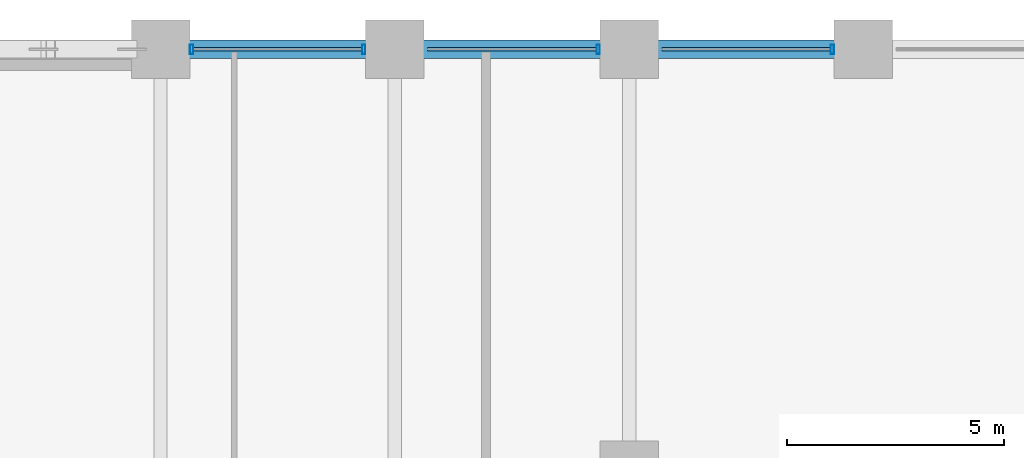
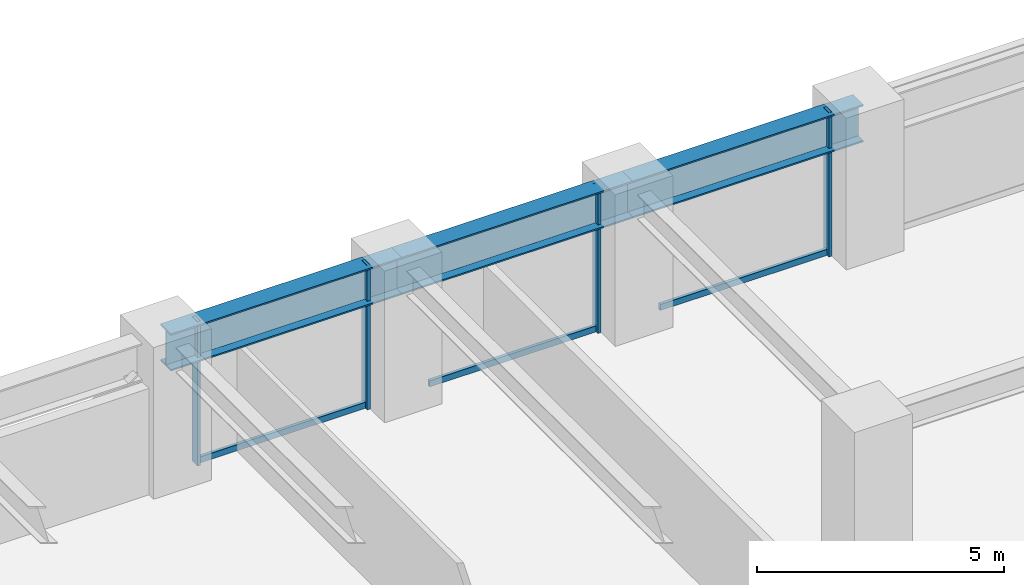
# One storey, part 15 of 25: 7 members, 3 beams, 1 element without a shape of its own.
"""IFC4 building model written with IfcOpenShell, lengths in metres."""

from ifc_helpers import new_model, si_unit, direction, frame, origin, origin_2d, place, context, subcontext, project, spatial, hollow_rectangle, i_section, extrude, material, layer, layer_set, material_profile, profile_set, type_object, element, aggregate, save


model = new_model("IFC4")

# Units and contexts
model_context = context("Model", 3, precision=1e-05, world=origin(), true_north=direction((0.0, 1.0)))
body_context = subcontext(model_context, "Body", "Model", "MODEL_VIEW")
ifc_project = project(units=[si_unit("LENGTHUNIT", "METRE"), si_unit("AREAUNIT", "SQUARE_METRE"), si_unit("VOLUMEUNIT", "CUBIC_METRE"), si_unit("PLANEANGLEUNIT", "RADIAN"), si_unit("MASSUNIT", "GRAM", prefix="KILO")], contexts=[model_context])

# Site, building, storey
site_placement = place(None, origin())
site = spatial("IfcSite", under=ifc_project, at=site_placement, CompositionType="ELEMENT")
building_placement = place(site_placement, origin())
building = spatial("IfcBuilding", under=site, at=building_placement, Name="Surkhivell Harbour Commons", CompositionType="ELEMENT")
storey_placement = place(building_placement, frame((0.0, 0.0, 37.5)))
storey = spatial("IfcBuildingStorey", under=building, at=storey_placement, Name="L09", CompositionType="ELEMENT", Elevation=37.5)

# Beams
ifc_material_1 = material(Name="Steel S460", Category="steel")
ifc_material_profile_1 = material_profile(ifc_material_1, i_section(OverallWidth=0.419921875, OverallDepth=0.9208984375, WebThickness=0.021484375, FlangeThickness=0.03662109375, at=origin_2d()), Name="UB914x419x388")
ifc_profile_set_1 = profile_set([ifc_material_profile_1], Name="Steel S460")
beam_type = type_object("IfcBeamType", Name="BM-SPN-914A", PredefinedType="SPANDREL", material=ifc_profile_set_1)
beam_1_placement = place(storey_placement, frame((5.39990234375, 25.89990234375, 3.109619140625), z_axis=(1.0, 0.0, 0.0), x_axis=(0.0, 1.0, 0.0)))
element("IfcBeam", 1, at=beam_1_placement, inside=storey, type_object=beam_type, Name="L09 Tube Spandrel (5.4,25.9)", PredefinedType="SPANDREL", context=body_context, shape_type="SweptSolid", body=[
    extrude(i_section(OverallWidth=0.419921875, OverallDepth=0.9208984375, WebThickness=0.021484375, FlangeThickness=0.03662109375, at=origin_2d()), origin(), (0.0, 0.0, 1.0), 5.400146484375),
])
beam_2_placement = place(storey_placement, frame((10.800048828125, 25.89990234375, 3.109619140625), z_axis=(1.0, 0.0, 0.0), x_axis=(0.0, 1.0, 0.0)))
element("IfcBeam", 2, at=beam_2_placement, inside=storey, type_object=beam_type, Name="L09 Tube Spandrel (10.8,25.9)", PredefinedType="SPANDREL", context=body_context, shape_type="SweptSolid", body=[
    extrude(i_section(OverallWidth=0.419921875, OverallDepth=0.9208984375, WebThickness=0.021484375, FlangeThickness=0.03662109375, at=origin_2d()), origin(), (0.0, 0.0, 1.0), 5.39990234375),
])
beam_3_placement = place(storey_placement, frame((16.199951171875, 25.89990234375, 3.109619140625), z_axis=(1.0, 0.0, 0.0), x_axis=(0.0, 1.0, 0.0)))
element("IfcBeam", 3, at=beam_3_placement, inside=storey, type_object=beam_type, Name="L09 Tube Spandrel (16.2,25.9)", PredefinedType="SPANDREL", context=body_context, shape_type="SweptSolid", body=[
    extrude(i_section(OverallWidth=0.419921875, OverallDepth=0.9208984375, WebThickness=0.021484375, FlangeThickness=0.03662109375, at=origin_2d()), origin(), (0.0, 0.0, 1.0), 5.400146484375),
])

# Curtain wall, members
ifc_material_2 = material(Name="Anodised pale-metal aluminium and insulated glazing", Category="aluminium")
ifc_layer = layer(ifc_material_2, 0.219970703125)
ifc_layer_set = layer_set([ifc_layer], Name="Anodised pale-metal aluminium and insulated glazing")
curtain_wall_type = type_object("IfcCurtainWallType", Name="CW-SYS-Z1", PredefinedType="NOTDEFINED", material=ifc_layer_set)
curtain_wall_placement = place(storey_placement, origin())
curtain_wall = element("IfcCurtainWall", 4, at=curtain_wall_placement, inside=storey, type_object=curtain_wall_type, Name="L09 Curtain Wall CW-L09-E07S1", PredefinedType="NOTDEFINED")
ifc_material_3 = material(Name="Anodised pale-metal aluminium alloy 6063-T6", Category="aluminium")
ifc_material_profile_2 = material_profile(ifc_material_3, hollow_rectangle(XDim=0.074951171875, YDim=0.219970703125, WallThickness=0.00390625, at=origin_2d()), Name="ALU-MULL-75x220")
ifc_profile_set_2 = profile_set([ifc_material_profile_2], Name="Anodised pale-metal aluminium alloy 6063-T6")
member_type_1 = type_object("IfcMemberType", Name="CWM-220", PredefinedType="MULLION", material=ifc_profile_set_2)
member_1_placement = place(storey_placement, frame((20.885498046875, 25.89990234375, 0.0), z_axis=(0.0, 0.0, 1.0), x_axis=(-1.0, 0.0, 0.0)))
member_1 = element("IfcMember", 5, at=member_1_placement, type_object=member_type_1, Name="CW-Z1 mullion 2", PredefinedType="MULLION", context=body_context, shape_type="SweptSolid", body=[
    extrude(hollow_rectangle(XDim=0.074951171875, YDim=0.219970703125, WallThickness=0.00390625, at=origin_2d()), origin(), (0.0, 0.0, 1.0), 3.570068359375),
])
member_2_placement = place(storey_placement, frame((15.485595703125, 25.89990234375, 0.0), z_axis=(0.0, 0.0, 1.0), x_axis=(-1.0, 0.0, 0.0)))
member_2 = element("IfcMember", 6, at=member_2_placement, type_object=member_type_1, Name="CW-Z1 mullion 3", PredefinedType="MULLION", context=body_context, shape_type="SweptSolid", body=[
    extrude(hollow_rectangle(XDim=0.074951171875, YDim=0.219970703125, WallThickness=0.00390625, at=origin_2d()), origin(), (0.0, 0.0, 1.0), 3.570068359375),
])
member_3_placement = place(storey_placement, frame((10.08544921875, 25.89990234375, 0.0), z_axis=(0.0, 0.0, 1.0), x_axis=(-1.0, 0.0, 0.0)))
member_3 = element("IfcMember", 7, at=member_3_placement, type_object=member_type_1, Name="CW-Z1 mullion 4", PredefinedType="MULLION", context=body_context, shape_type="SweptSolid", body=[
    extrude(hollow_rectangle(XDim=0.074951171875, YDim=0.219970703125, WallThickness=0.00390625, at=origin_2d()), origin(), (0.0, 0.0, 1.0), 3.570068359375),
])
member_4_placement = place(storey_placement, frame((6.114501953125, 25.89990234375, 0.0), z_axis=(0.0, 0.0, 1.0), x_axis=(-1.0, 0.0, 0.0)))
member_4 = element("IfcMember", 8, at=member_4_placement, type_object=member_type_1, Name="CW-Z1 mullion 5", PredefinedType="MULLION", context=body_context, shape_type="SweptSolid", body=[
    extrude(hollow_rectangle(XDim=0.074951171875, YDim=0.219970703125, WallThickness=0.00390625, at=origin_2d()), origin(), (0.0, 0.0, 1.0), 3.570068359375),
])
ifc_material_profile_3 = material_profile(ifc_material_3, hollow_rectangle(XDim=0.074951171875, YDim=0.14990234375, WallThickness=0.00341796875, at=origin_2d()), Name="ALU-TRAN-75x150")
ifc_profile_set_3 = profile_set([ifc_material_profile_3], Name="Anodised pale-metal aluminium alloy 6063-T6")
member_type_2 = type_object("IfcMemberType", Name="CWT-150", PredefinedType="USERDEFINED", material=ifc_profile_set_3)
member_5_placement = place(storey_placement, frame((20.847900390625, 25.89990234375, 0.074951171875), z_axis=(-1.0, 0.0, 0.0), x_axis=(0.0, -1.0, 0.0)))
member_5 = element("IfcMember", 9, at=member_5_placement, type_object=member_type_2, Name="CW-Z1 transom 2.1", ObjectType="TRANSOM", PredefinedType="USERDEFINED", context=body_context, shape_type="SweptSolid", body=[
    extrude(hollow_rectangle(XDim=0.074951171875, YDim=0.14990234375, WallThickness=0.00341796875, at=origin_2d()), origin(), (0.0, 0.0, 1.0), 3.89599609375),
])
member_6_placement = place(storey_placement, frame((15.447998046875, 25.89990234375, 0.074951171875), z_axis=(-1.0, 0.0, 0.0), x_axis=(0.0, -1.0, 0.0)))
member_6 = element("IfcMember", 10, at=member_6_placement, type_object=member_type_2, Name="CW-Z1 transom 3.1", ObjectType="TRANSOM", PredefinedType="USERDEFINED", context=body_context, shape_type="SweptSolid", body=[
    extrude(hollow_rectangle(XDim=0.074951171875, YDim=0.14990234375, WallThickness=0.00341796875, at=origin_2d()), origin(), (0.0, 0.0, 1.0), 3.89599609375),
])
member_7_placement = place(storey_placement, frame((10.048095703125, 25.89990234375, 0.074951171875), z_axis=(-1.0, 0.0, 0.0), x_axis=(0.0, -1.0, 0.0)))
member_7 = element("IfcMember", 11, at=member_7_placement, type_object=member_type_2, Name="CW-Z1 transom 4.1", ObjectType="TRANSOM", PredefinedType="USERDEFINED", context=body_context, shape_type="SweptSolid", body=[
    extrude(hollow_rectangle(XDim=0.074951171875, YDim=0.14990234375, WallThickness=0.00341796875, at=origin_2d()), origin(), (0.0, 0.0, 1.0), 3.89599609375),
])
aggregate(curtain_wall, [member_1, member_5, member_2, member_6, member_3, member_4, member_7])

save(model, "model.ifc")
